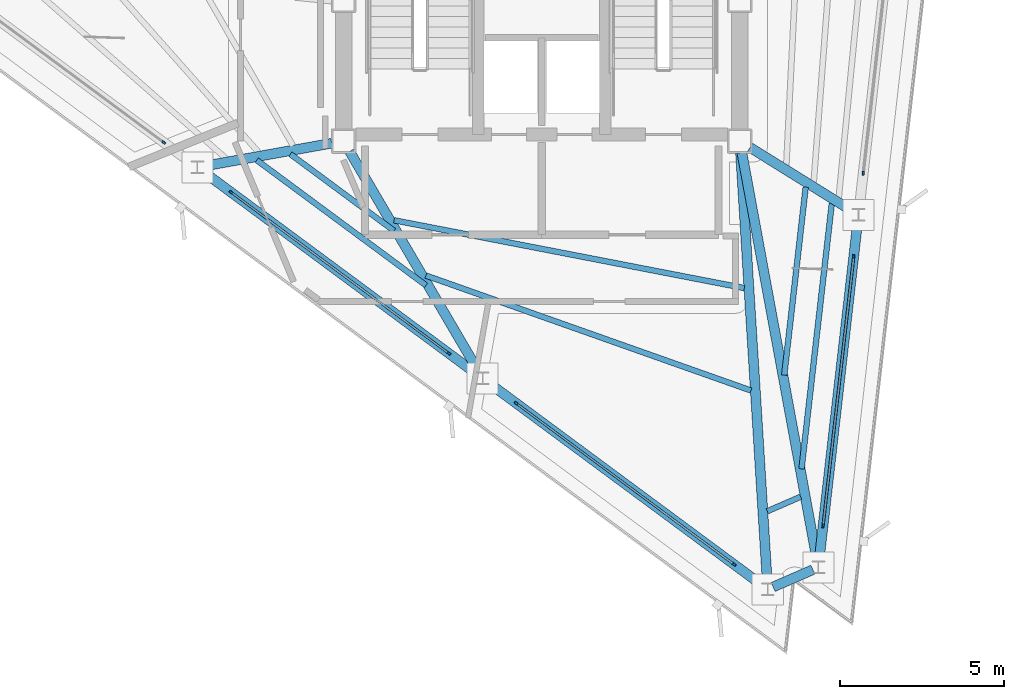
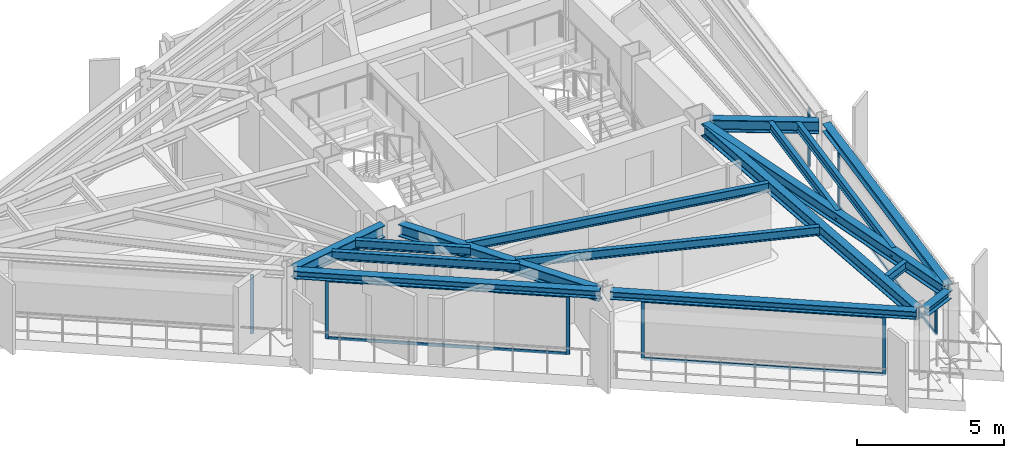
# One storey, part 2 of 10: 16 beams, 14 members, 5 elements without a shape of their own.
"""IFC4 building model written with IfcOpenShell, lengths in metres."""

from ifc_helpers import new_model, si_unit, direction, frame, origin, origin_2d, place, context, subcontext, project, spatial, rectangle, i_section, extrude, material, layer, layer_set, material_profile, profile_set, type_object, element, aggregate, save


model = new_model("IFC4")

# Units and contexts
model_context = context("Model", 3, precision=1e-05, world=origin(), true_north=direction((0.0, 1.0)))
body_context = subcontext(model_context, "Body", "Model", "MODEL_VIEW")
ifc_project = project(units=[si_unit("LENGTHUNIT", "METRE"), si_unit("AREAUNIT", "SQUARE_METRE"), si_unit("VOLUMEUNIT", "CUBIC_METRE"), si_unit("PLANEANGLEUNIT", "RADIAN"), si_unit("MASSUNIT", "GRAM", prefix="KILO")], contexts=[model_context])

# Site, building, storey
site_placement = place(None, origin())
site = spatial("IfcSite", under=ifc_project, at=site_placement, CompositionType="ELEMENT")
building_placement = place(site_placement, origin())
building = spatial("IfcBuilding", under=site, at=building_placement, Name="Rocaltana Carrier Exchange", CompositionType="ELEMENT")
storey_placement = place(building_placement, frame((0.0, 0.0, 214.8798828125)))
storey = spatial("IfcBuildingStorey", under=building, at=storey_placement, Name="L68", CompositionType="ELEMENT", Elevation=214.8798828125)

# Curtain wall, members
ifc_material_1 = material(Name="Aluminium 6063-T6", Category="aluminium")
ifc_layer = layer(ifc_material_1, 0.1201171875)
ifc_layer_set = layer_set([ifc_layer], Name="Aluminium 6063-T6")
curtain_wall_type = type_object("IfcCurtainWallType", Name="High-Altitude Thermal Curtain Wall CW-05", PredefinedType="NOTDEFINED", material=ifc_layer_set)
curtain_wall_1_placement = place(storey_placement, origin())
curtain_wall_1 = element("IfcCurtainWall", 1, at=curtain_wall_1_placement, inside=storey, type_object=curtain_wall_type, Name="L68 CW-05 Run CW-L68-F1S1", PredefinedType="NOTDEFINED")
ifc_material_2 = material(Name="Aluminium 6063-T6", Category="aluminium")
ifc_material_profile_1 = material_profile(ifc_material_2, rectangle(XDim=0.06005859375, YDim=0.1201171875, at=origin_2d()), Name="AL-60X120")
ifc_profile_set_1 = profile_set([ifc_material_profile_1], Name="Aluminium 6063-T6")
member_type_1 = type_object("IfcMemberType", Name="CW-05 Mullion AL-60X120", PredefinedType="MULLION", material=ifc_profile_set_1)
member_1_placement = place(storey_placement, frame((8.593505859375, -16.0458984375, 0.0), z_axis=(0.0, 0.0, 1.0), x_axis=(-0.993571216652, 0.113208822277, 0.0)))
member_1 = element("IfcMember", 2, at=member_1_placement, type_object=member_type_1, Name="CW-05 mullion 1", PredefinedType="MULLION", context=body_context, shape_type="SweptSolid", body=[
    extrude(rectangle(XDim=0.06005859375, YDim=0.1201171875, at=origin_2d()), origin(), (0.0, 0.0, 1.0), 2.447998046875),
])
member_2_placement = place(storey_placement, frame((9.530029296875, -7.825927734375, 0.0), z_axis=(0.0, 0.0, 1.0), x_axis=(-0.993571216652, 0.113208822277, 0.0)))
member_2 = element("IfcMember", 3, at=member_2_placement, type_object=member_type_1, Name="CW-05 mullion 2", PredefinedType="MULLION", context=body_context, shape_type="SweptSolid", body=[
    extrude(rectangle(XDim=0.06005859375, YDim=0.1201171875, at=origin_2d()), origin(), (0.0, 0.0, 1.0), 2.447998046875),
])

# Curtain wall, member
curtain_wall_2_placement = place(storey_placement, origin())
curtain_wall_2 = element("IfcCurtainWall", 4, at=curtain_wall_2_placement, inside=storey, type_object=curtain_wall_type, Name="L68 CW-05 Run CW-L68-F1S2", PredefinedType="NOTDEFINED")
member_3_placement = place(storey_placement, frame((9.81982421875, -5.2822265625, 0.0), z_axis=(0.0, 0.0, 1.0), x_axis=(-0.993571216652, 0.113208822277, 0.0)))
member_3 = element("IfcMember", 5, at=member_3_placement, type_object=member_type_1, Name="CW-05 mullion 1", PredefinedType="MULLION", context=body_context, shape_type="SweptSolid", body=[
    extrude(rectangle(XDim=0.06005859375, YDim=0.1201171875, at=origin_2d()), origin(), (0.0, 0.0, 1.0), 2.447998046875),
])
aggregate(curtain_wall_2, [member_3])

curtain_wall_3_placement = place(storey_placement, origin())
curtain_wall_3 = element("IfcCurtainWall", 6, at=curtain_wall_3_placement, inside=storey, type_object=curtain_wall_type, Name="L68 CW-05 Run CW-L68-F3S1", PredefinedType="NOTDEFINED")
member_4_placement = place(storey_placement, frame((-11.54248046875, -4.340576171875, 0.0), z_axis=(0.0, 0.0, 1.0), x_axis=(0.594826566974, 0.803854063386, 0.0)))
member_4 = element("IfcMember", 7, at=member_4_placement, type_object=member_type_1, Name="CW-05 mullion 2", PredefinedType="MULLION", context=body_context, shape_type="SweptSolid", body=[
    extrude(rectangle(XDim=0.06005859375, YDim=0.1201171875, at=origin_2d()), origin(), (0.0, 0.0, 1.0), 2.447998046875),
])
aggregate(curtain_wall_3, [member_4])

# Curtain wall, members
curtain_wall_4_placement = place(storey_placement, origin())
curtain_wall_4 = element("IfcCurtainWall", 8, at=curtain_wall_4_placement, inside=storey, type_object=curtain_wall_type, Name="L68 CW-05 Run CW-L68-F3S2", PredefinedType="NOTDEFINED")
member_5_placement = place(storey_placement, frame((-9.484619140625, -5.863037109375, 0.0), z_axis=(0.0, 0.0, 1.0), x_axis=(0.594820829179, 0.803858309141, 0.0)))
member_5 = element("IfcMember", 9, at=member_5_placement, type_object=member_type_1, Name="CW-05 mullion 1", PredefinedType="MULLION", context=body_context, shape_type="SweptSolid", body=[
    extrude(rectangle(XDim=0.06005859375, YDim=0.1201171875, at=origin_2d()), origin(), (0.0, 0.0, 1.0), 2.447998046875),
])
member_6_placement = place(storey_placement, frame((-2.833984375, -10.784423828125, 0.0), z_axis=(0.0, 0.0, 1.0), x_axis=(0.594820829179, 0.803858309141, 0.0)))
member_6 = element("IfcMember", 10, at=member_6_placement, type_object=member_type_1, Name="CW-05 mullion 2", PredefinedType="MULLION", context=body_context, shape_type="SweptSolid", body=[
    extrude(rectangle(XDim=0.06005859375, YDim=0.1201171875, at=origin_2d()), origin(), (0.0, 0.0, 1.0), 2.447998046875),
])

curtain_wall_5_placement = place(storey_placement, origin())
curtain_wall_5 = element("IfcCurtainWall", 11, at=curtain_wall_5_placement, inside=storey, type_object=curtain_wall_type, Name="L68 CW-05 Run CW-L68-F3S3", PredefinedType="NOTDEFINED")
member_7_placement = place(storey_placement, frame((-0.776123046875, -12.30712890625, 0.0), z_axis=(0.0, 0.0, 1.0), x_axis=(0.594826566974, 0.803854063386, 0.0)))
member_7 = element("IfcMember", 12, at=member_7_placement, type_object=member_type_1, Name="CW-05 mullion 1", PredefinedType="MULLION", context=body_context, shape_type="SweptSolid", body=[
    extrude(rectangle(XDim=0.06005859375, YDim=0.1201171875, at=origin_2d()), origin(), (0.0, 0.0, 1.0), 2.447998046875),
])
member_8_placement = place(storey_placement, frame((5.87451171875, -17.228271484375, 0.0), z_axis=(0.0, 0.0, 1.0), x_axis=(0.594826566974, 0.803854063386, 0.0)))
member_8 = element("IfcMember", 13, at=member_8_placement, type_object=member_type_1, Name="CW-05 mullion 2", PredefinedType="MULLION", context=body_context, shape_type="SweptSolid", body=[
    extrude(rectangle(XDim=0.06005859375, YDim=0.1201171875, at=origin_2d()), origin(), (0.0, 0.0, 1.0), 2.447998046875),
])

# Member
ifc_material_3 = material(Name="Aluminium 6063-T6", Category="aluminium")
ifc_material_profile_2 = material_profile(ifc_material_3, rectangle(XDim=0.06005859375, YDim=0.1201171875, at=origin_2d()), Name="AL-60X120")
ifc_profile_set_2 = profile_set([ifc_material_profile_2], Name="Aluminium 6063-T6")
member_type_2 = type_object("IfcMemberType", Name="CW-05 Transom AL-60X120", PredefinedType="USERDEFINED", material=ifc_profile_set_2)
member_9_placement = place(storey_placement, frame((8.596923828125, -16.01611328125, 0.030029296875), z_axis=(0.113194477683, 0.993572850989, 0.0), x_axis=(-0.993572850989, 0.113194477683, 0.0)))
member_9 = element("IfcMember", 14, at=member_9_placement, type_object=member_type_2, Name="CW-05 transom 1.1", ObjectType="TRANSOM", PredefinedType="USERDEFINED", context=body_context, shape_type="SweptSolid", body=[
    extrude(rectangle(XDim=0.06005859375, YDim=0.1201171875, at=origin_2d()), origin(), (0.0, 0.0, 1.0), 8.213134765625),
])

member_10_placement = place(storey_placement, frame((8.596923828125, -16.01611328125, 2.418212890625), z_axis=(0.113194477683, 0.993572850989, 0.0), x_axis=(-0.993572850989, 0.113194477683, 0.0)))
member_10 = element("IfcMember", 15, at=member_10_placement, type_object=member_type_2, Name="CW-05 transom 1.2", ObjectType="TRANSOM", PredefinedType="USERDEFINED", context=body_context, shape_type="SweptSolid", body=[
    extrude(rectangle(XDim=0.06005859375, YDim=0.1201171875, at=origin_2d()), origin(), (0.0, 0.0, 1.0), 8.213134765625),
])

aggregate(curtain_wall_1, [member_1, member_2, member_9, member_10])

member_11_placement = place(storey_placement, frame((-9.46044921875, -5.881103515625, 0.030029296875), z_axis=(0.80386407087, -0.59481304253, 0.0), x_axis=(0.59481304253, 0.80386407087, 0.0)))
member_11 = element("IfcMember", 16, at=member_11_placement, type_object=member_type_2, Name="CW-05 transom 1.1", ObjectType="TRANSOM", PredefinedType="USERDEFINED", context=body_context, shape_type="SweptSolid", body=[
    extrude(rectangle(XDim=0.06005859375, YDim=0.1201171875, at=origin_2d()), origin(), (0.0, 0.0, 1.0), 8.213623046875),
])

member_12_placement = place(storey_placement, frame((-9.46044921875, -5.881103515625, 2.418212890625), z_axis=(0.80386407087, -0.59481304253, 0.0), x_axis=(0.59481304253, 0.80386407087, 0.0)))
member_12 = element("IfcMember", 17, at=member_12_placement, type_object=member_type_2, Name="CW-05 transom 1.2", ObjectType="TRANSOM", PredefinedType="USERDEFINED", context=body_context, shape_type="SweptSolid", body=[
    extrude(rectangle(XDim=0.06005859375, YDim=0.1201171875, at=origin_2d()), origin(), (0.0, 0.0, 1.0), 8.213623046875),
])

aggregate(curtain_wall_4, [member_5, member_6, member_11, member_12])

member_13_placement = place(storey_placement, frame((-0.751953125, -12.324951171875, 0.030029296875), z_axis=(0.803853553959, -0.594827255418, 0.0), x_axis=(0.594827255418, 0.803853553959, 0.0)))
member_13 = element("IfcMember", 18, at=member_13_placement, type_object=member_type_2, Name="CW-05 transom 1.1", ObjectType="TRANSOM", PredefinedType="USERDEFINED", context=body_context, shape_type="SweptSolid", body=[
    extrude(rectangle(XDim=0.06005859375, YDim=0.1201171875, at=origin_2d()), origin(), (0.0, 0.0, 1.0), 8.21337890625),
])

member_14_placement = place(storey_placement, frame((-0.751953125, -12.324951171875, 2.418212890625), z_axis=(0.803853553959, -0.594827255418, 0.0), x_axis=(0.594827255418, 0.803853553959, 0.0)))
member_14 = element("IfcMember", 19, at=member_14_placement, type_object=member_type_2, Name="CW-05 transom 1.2", ObjectType="TRANSOM", PredefinedType="USERDEFINED", context=body_context, shape_type="SweptSolid", body=[
    extrude(rectangle(XDim=0.06005859375, YDim=0.1201171875, at=origin_2d()), origin(), (0.0, 0.0, 1.0), 8.21337890625),
])

aggregate(curtain_wall_5, [member_7, member_8, member_13, member_14])

# Beams
ifc_material_4 = material(Name="Steel S355", Category="steel")
ifc_material_profile_3 = material_profile(ifc_material_4, i_section(OverallWidth=0.172119140625, OverallDepth=0.35791015625, WebThickness=0.0078125, FlangeThickness=0.01318359375, FilletRadius=0.011962890625, at=origin_2d()), Name="W14X38")
ifc_profile_set_3 = profile_set([ifc_material_profile_3], Name="Steel S355")
beam_type_1 = type_object("IfcBeamType", Name="Floor Joist W14X38", PredefinedType="JOIST", material=ifc_profile_set_3)
beam_1_placement = place(storey_placement, frame((7.409423828125, -11.44677734375, 2.619140625), z_axis=(0.113227249781, 0.993569116824, 0.0), x_axis=(-0.993569116824, 0.113227249781, 0.0)))
element("IfcBeam", 20, at=beam_1_placement, inside=storey, type_object=beam_type_1, Name="FJ-L68-01-2", PredefinedType="JOIST", context=body_context, shape_type="SweptSolid", body=[
    extrude(i_section(OverallWidth=0.172119140625, OverallDepth=0.35791015625, WebThickness=0.0078125, FlangeThickness=0.01318359375, FilletRadius=0.011962890625, at=origin_2d()), origin(), (0.0, 0.0, 1.0), 5.778564453125),
])
beam_2_placement = place(storey_placement, frame((7.937255859375, -14.310791015625, 2.619140625), z_axis=(0.113185523322, 0.993573871089, 0.0), x_axis=(-0.993573871089, 0.113185523322, 0.0)))
element("IfcBeam", 21, at=beam_2_placement, inside=storey, type_object=beam_type_1, Name="FJ-L68-01-3", PredefinedType="JOIST", context=body_context, shape_type="SweptSolid", body=[
    extrude(i_section(OverallWidth=0.172119140625, OverallDepth=0.35791015625, WebThickness=0.0078125, FlangeThickness=0.01318359375, FilletRadius=0.011962890625, at=origin_2d()), origin(), (0.0, 0.0, 1.0), 8.162109375),
])
beam_3_placement = place(storey_placement, frame((-7.675048828125, -4.698486328125, 2.619140625), z_axis=(0.803860282808, -0.594818161899, 0.0), x_axis=(0.594818161899, 0.803860282808, 0.0)))
element("IfcBeam", 22, at=beam_3_placement, inside=storey, type_object=beam_type_1, Name="FJ-L68-10-1", PredefinedType="JOIST", context=body_context, shape_type="SweptSolid", body=[
    extrude(i_section(OverallWidth=0.172119140625, OverallDepth=0.35791015625, WebThickness=0.0078125, FlangeThickness=0.01318359375, FilletRadius=0.011962890625, at=origin_2d()), origin(), (0.0, 0.0, 1.0), 3.93701171875),
])
beam_4_placement = place(storey_placement, frame((-8.70166015625, -4.8828125, 2.619140625), z_axis=(0.803852431251, -0.59482877265, 0.0), x_axis=(0.59482877265, 0.803852431251, 0.0)))
element("IfcBeam", 23, at=beam_4_placement, inside=storey, type_object=beam_type_1, Name="FJ-L68-10-2", PredefinedType="JOIST", context=body_context, shape_type="SweptSolid", body=[
    extrude(i_section(OverallWidth=0.172119140625, OverallDepth=0.35791015625, WebThickness=0.0078125, FlangeThickness=0.01318359375, FilletRadius=0.011962890625, at=origin_2d()), origin(), (0.0, 0.0, 1.0), 6.4287109375),
])
beam_5_placement = place(storey_placement, frame((-4.5078125, -6.718505859375, 2.619140625), z_axis=(0.981759350147, -0.190127794914, 0.0), x_axis=(0.190127794914, 0.981759350147, 0.0)))
element("IfcBeam", 24, at=beam_5_placement, inside=storey, type_object=beam_type_1, Name="FJ-L68-11-1", PredefinedType="JOIST", context=body_context, shape_type="SweptSolid", body=[
    extrude(i_section(OverallWidth=0.172119140625, OverallDepth=0.35791015625, WebThickness=0.0078125, FlangeThickness=0.01318359375, FilletRadius=0.011962890625, at=origin_2d()), origin(), (0.0, 0.0, 1.0), 10.896728515625),
])
beam_6_placement = place(storey_placement, frame((-3.537109375, -8.405517578125, 2.619140625), z_axis=(0.942743579006, -0.333518431639, 0.0), x_axis=(0.333518431639, 0.942743579006, 0.0)))
element("IfcBeam", 25, at=beam_6_placement, inside=storey, type_object=beam_type_1, Name="FJ-L68-11-2", PredefinedType="JOIST", context=body_context, shape_type="SweptSolid", body=[
    extrude(i_section(OverallWidth=0.172119140625, OverallDepth=0.35791015625, WebThickness=0.0078125, FlangeThickness=0.01318359375, FilletRadius=0.011962890625, at=origin_2d()), origin(), (0.0, 0.0, 1.0), 10.5322265625),
])
beam_7_placement = place(storey_placement, frame((6.890380859375, -15.60498046875, 2.619140625), z_axis=(0.917028106869, 0.398822581122, 0.0), x_axis=(-0.398822581122, 0.917028106869, 0.0)))
element("IfcBeam", 26, at=beam_7_placement, inside=storey, type_object=beam_type_1, Name="FJ-L68-12-3", PredefinedType="JOIST", context=body_context, shape_type="SweptSolid", body=[
    extrude(i_section(OverallWidth=0.172119140625, OverallDepth=0.35791015625, WebThickness=0.0078125, FlangeThickness=0.01318359375, FilletRadius=0.011962890625, at=origin_2d()), origin(), (0.0, 0.0, 1.0), 1.1103515625),
])
ifc_material_5 = material(Name="Steel S355", Category="steel")
ifc_material_profile_4 = material_profile(ifc_material_5, i_section(OverallWidth=0.300048828125, OverallDepth=0.320068359375, WebThickness=0.011474609375, FlangeThickness=0.0205078125, FilletRadius=0.027099609375, at=origin_2d()), Name="HEB320")
ifc_profile_set_4 = profile_set([ifc_material_profile_4], Name="Steel S355")
beam_type_2 = type_object("IfcBeamType", Name="Spandrel Edge Beam HEB320", PredefinedType="SPANDREL", material=ifc_profile_set_4)
for number, where, z_axis, x_axis, name in (
    (27, (8.468994140625, -17.139404296875, 2.63818359375), (0.113209353353, 0.99357115614, 0.0), (-0.99357115614, 0.113209353353, 0.0), "SP-L68-01"),
    (28, (-10.369140625, -5.20849609375, 2.63818359375), (0.803854381492, -0.594826137082, 0.0), (0.594826137082, 0.803854381492, 0.0), "SP-L68-10"),
):
    element("IfcBeam", number, at=place(storey_placement, frame(where, z_axis=z_axis, x_axis=x_axis)), inside=storey, type_object=beam_type_2, Name=name, PredefinedType="SPANDREL", context=body_context, shape_type="SweptSolid", body=[
        extrude(i_section(OverallWidth=0.300048828125, OverallDepth=0.320068359375, WebThickness=0.011474609375, FlangeThickness=0.0205078125, FilletRadius=0.027099609375, at=origin_2d()), origin(), (0.0, 0.0, 1.0), 10.474365234375),
    ])
beam_8_placement = place(storey_placement, frame((-1.66064453125, -11.652587890625, 2.63818359375), z_axis=(0.803857279617, -0.594822220505, 0.0), x_axis=(0.594822220505, 0.803857279617, 0.0)))
element("IfcBeam", 29, at=beam_8_placement, inside=storey, type_object=beam_type_2, Name="SP-L68-11", PredefinedType="SPANDREL", context=body_context, shape_type="SweptSolid", body=[
    extrude(i_section(OverallWidth=0.300048828125, OverallDepth=0.320068359375, WebThickness=0.011474609375, FlangeThickness=0.0205078125, FilletRadius=0.027099609375, at=origin_2d()), origin(), (0.0, 0.0, 1.0), 10.47412109375),
])
beam_9_placement = place(storey_placement, frame((7.068115234375, -17.91796875, 2.63818359375), z_axis=(0.917084694232, 0.398692442372, 0.0), x_axis=(-0.398692442372, 0.917084694232, 0.0)))
element("IfcBeam", 30, at=beam_9_placement, inside=storey, type_object=beam_type_2, Name="SP-L68-12", PredefinedType="SPANDREL", context=body_context, shape_type="SweptSolid", body=[
    extrude(i_section(OverallWidth=0.300048828125, OverallDepth=0.320068359375, WebThickness=0.011474609375, FlangeThickness=0.0205078125, FilletRadius=0.027099609375, at=origin_2d()), origin(), (0.0, 0.0, 1.0), 1.32568359375),
])
ifc_material_6 = material(Name="Steel S355", Category="steel")
ifc_material_profile_5 = material_profile(ifc_material_6, i_section(OverallWidth=0.300048828125, OverallDepth=0.5, WebThickness=0.014404296875, FlangeThickness=0.028076171875, FilletRadius=0.027099609375, at=origin_2d()), Name="HEB500")
ifc_profile_set_5 = profile_set([ifc_material_profile_5], Name="Steel S355")
beam_type_3 = type_object("IfcBeamType", Name="Upper Radial Girder HEB500", PredefinedType="BEAM", material=ifc_profile_set_5)
beam_10_placement = place(storey_placement, frame((6.116455078125, -4.660888671875, 2.548095703125), z_axis=(0.181206008734, -0.983445159833, 0.0), x_axis=(0.983445159833, 0.181206008734, 0.0)))
element("IfcBeam", 31, at=beam_10_placement, inside=storey, type_object=beam_type_3, Name="RG-L68-01", PredefinedType="BEAM", context=body_context, shape_type="SweptSolid", body=[
    extrude(i_section(OverallWidth=0.300048828125, OverallDepth=0.5, WebThickness=0.014404296875, FlangeThickness=0.028076171875, FilletRadius=0.027099609375, at=origin_2d()), origin(), (0.0, 0.0, 1.0), 12.6904296875),
])
beam_11_placement = place(storey_placement, frame((6.36181640625, -4.493896484375, 2.548095703125), z_axis=(0.849230475693, -0.52802234721, 0.0), x_axis=(0.52802234721, 0.849230475693, 0.0)))
element("IfcBeam", 32, at=beam_11_placement, inside=storey, type_object=beam_type_3, Name="RG-L68-02", PredefinedType="BEAM", context=body_context, shape_type="SweptSolid", body=[
    extrude(i_section(OverallWidth=0.300048828125, OverallDepth=0.5, WebThickness=0.014404296875, FlangeThickness=0.028076171875, FilletRadius=0.027099609375, at=origin_2d()), origin(), (0.0, 0.0, 1.0), 3.72216796875),
])
beam_12_placement = place(storey_placement, frame((-6.4111328125, -4.364990234375, 2.548095703125), z_axis=(-0.984251551431, -0.176773537347, 0.0), x_axis=(0.176773537347, -0.984251551431, 0.0)))
element("IfcBeam", 33, at=beam_12_placement, inside=storey, type_object=beam_type_3, Name="RG-L68-10", PredefinedType="BEAM", context=body_context, shape_type="SweptSolid", body=[
    extrude(i_section(OverallWidth=0.300048828125, OverallDepth=0.5, WebThickness=0.014404296875, FlangeThickness=0.028076171875, FilletRadius=0.027099609375, at=origin_2d()), origin(), (0.0, 0.0, 1.0), 3.988525390625),
])
beam_13_placement = place(storey_placement, frame((-5.864501953125, -4.61669921875, 2.548095703125), z_axis=(0.505500021145, -0.86282659244, 0.0), x_axis=(0.86282659244, 0.505500021145, 0.0)))
element("IfcBeam", 34, at=beam_13_placement, inside=storey, type_object=beam_type_3, Name="RG-L68-11", PredefinedType="BEAM", context=body_context, shape_type="SweptSolid", body=[
    extrude(i_section(OverallWidth=0.300048828125, OverallDepth=0.5, WebThickness=0.014404296875, FlangeThickness=0.028076171875, FilletRadius=0.027099609375, at=origin_2d()), origin(), (0.0, 0.0, 1.0), 7.85107421875),
])
beam_14_placement = place(storey_placement, frame((6.07275390625, -4.666259765625, 2.548095703125), z_axis=(0.062214398445, -0.998062807957, 0.0), x_axis=(0.998062807957, 0.062214398445, 0.0)))
element("IfcBeam", 35, at=beam_14_placement, inside=storey, type_object=beam_type_3, Name="RG-L68-12", PredefinedType="BEAM", context=body_context, shape_type="SweptSolid", body=[
    extrude(i_section(OverallWidth=0.300048828125, OverallDepth=0.5, WebThickness=0.014404296875, FlangeThickness=0.028076171875, FilletRadius=0.027099609375, at=origin_2d()), origin(), (0.0, 0.0, 1.0), 13.16943359375),
])

save(model, "model.ifc")
